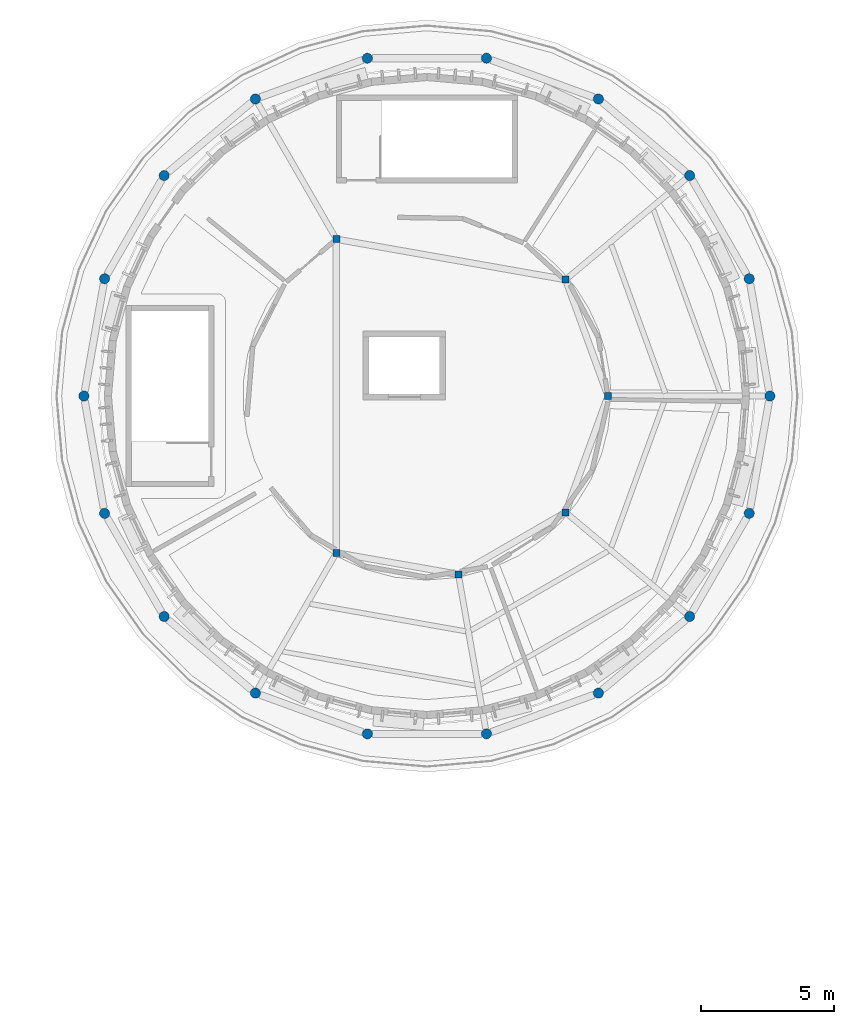
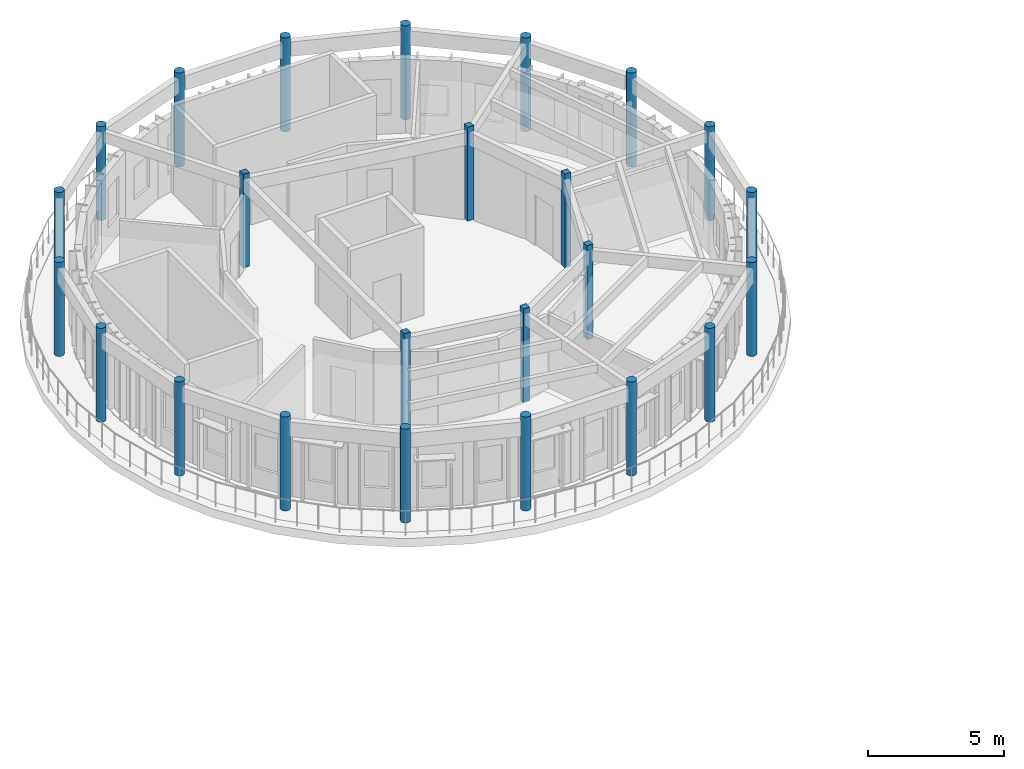
# One storey, part 1 of 14: 24 columns.
"""IFC4 building model written with IfcOpenShell, lengths in metres."""

from ifc_helpers import new_model, si_unit, direction, frame, origin, origin_2d, place, context, subcontext, project, spatial, rectangle, circle, extrude, material, material_profile, profile_set, type_object, element, save


model = new_model("IFC4")

# Units and contexts
model_context = context("Model", 3, precision=1e-05, world=origin(), true_north=direction((0.0, 1.0)))
body_context = subcontext(model_context, "Body", "Model", "MODEL_VIEW")
ifc_project = project(units=[si_unit("LENGTHUNIT", "METRE"), si_unit("AREAUNIT", "SQUARE_METRE"), si_unit("VOLUMEUNIT", "CUBIC_METRE"), si_unit("PLANEANGLEUNIT", "RADIAN"), si_unit("MASSUNIT", "GRAM", prefix="KILO")], contexts=[model_context])

# Site, building, storey
site_placement = place(None, origin())
site = spatial("IfcSite", under=ifc_project, at=site_placement, CompositionType="ELEMENT")
building_placement = place(site_placement, origin())
building = spatial("IfcBuilding", under=site, at=building_placement, Name="Aldenvaro Health Centre", CompositionType="ELEMENT")
storey_placement = place(building_placement, frame((0.0, 0.0, 21.35009765625)))
storey = spatial("IfcBuildingStorey", under=building, at=storey_placement, Name="L05", CompositionType="ELEMENT", Elevation=21.35009765625)

# Columns
ifc_material = material(Name="Glulam GL28h", Category="wood")
ifc_material_profile_1 = material_profile(ifc_material, rectangle(XDim=0.264892578125, YDim=0.264892578125, at=origin_2d()), Name="GL 265x265", Category="wood")
ifc_profile_set_1 = profile_set([ifc_material_profile_1], Name="Glulam GL28h")
column_type_1 = type_object("IfcColumnType", Name="COL-GL-265", PredefinedType="COLUMN", material=ifc_profile_set_1)
for number, where, z_axis, x_axis, name in (
    (1, (25.300048828125, 99.5, 0.0), (0.0, 0.0, 1.0), (1.0, 0.0, 0.0), "D4 L05 column IN-01"),
    (2, (23.708984375, 103.87109375, 0.0), (0.0, 0.0, 1.0), (1.0, 0.0, 0.0), "D4 L05 column IN-02"),
    (3, (15.10009765625, 105.388916015625, 0.0), (0.0, 0.0, 1.0), (1.0, 0.0, 0.0), "D4 L05 column IN-03"),
    (4, (15.10009765625, 93.611083984375, 0.0), (0.0, 0.0, 1.0), (1.0, 0.0, 0.0), "D4 L05 column IN-04"),
    (5, (19.680908203125, 92.802978515625, 0.0), (0.0, 0.0, 1.0), (1.0, 0.0, 0.0), "D4 L05 column IN-05"),
    (6, (23.708984375, 95.12890625, 0.0), (0.0, 0.0, 1.0), (1.0, 0.0, 0.0), "D4 L05 column IN-06"),
):
    element("IfcColumn", number, at=place(storey_placement, frame(where, z_axis=z_axis, x_axis=x_axis)), inside=storey, type_object=column_type_1, Name=name, PredefinedType="COLUMN", context=body_context, shape_type="SweptSolid", body=[
        extrude(rectangle(XDim=0.264892578125, YDim=0.264892578125, at=origin_2d()), origin(), (0.0, 0.0, 1.0), 4.199951171875),
    ])
ifc_material_profile_2 = material_profile(ifc_material, circle(Radius=0.18994140625, at=origin_2d()), Name="GL D380", Category="wood")
ifc_profile_set_2 = profile_set([ifc_material_profile_2], Name="Glulam GL28h")
column_type_2 = type_object("IfcColumnType", Name="COL-GL-D380", PredefinedType="PILASTER", material=ifc_profile_set_2)
for number, where, z_axis, x_axis, name in (
    (7, (31.3798828125, 99.5, 0.0), (0.0, 0.0, 1.0), (1.0, 0.0, 0.0), "D4 L05 column OUT-01"),
    (8, (30.60302734375, 103.905029296875, 0.0), (0.0, 0.0, 1.0), (1.0, 0.0, 0.0), "D4 L05 column OUT-02"),
    (9, (28.366943359375, 107.779052734375, 0.0), (0.0, 0.0, 1.0), (1.0, 0.0, 0.0), "D4 L05 column OUT-03"),
    (10, (24.93994140625, 110.654052734375, 0.0), (0.0, 0.0, 1.0), (1.0, 0.0, 0.0), "D4 L05 column OUT-04"),
    (11, (20.737060546875, 112.18408203125, 0.0), (0.0, 0.0, 1.0), (1.0, 0.0, 0.0), "D4 L05 column OUT-05"),
    (12, (16.262939453125, 112.18408203125, 0.0), (0.0, 0.0, 1.0), (1.0, 0.0, 0.0), "D4 L05 column OUT-06"),
    (13, (12.06005859375, 110.654052734375, 0.0), (0.0, 0.0, 1.0), (1.0, 0.0, 0.0), "D4 L05 column OUT-07"),
    (14, (8.633056640625, 107.779052734375, 0.0), (0.0, 0.0, 1.0), (1.0, 0.0, 0.0), "D4 L05 column OUT-08"),
    (15, (6.39697265625, 103.905029296875, 0.0), (0.0, 0.0, 1.0), (1.0, 0.0, 0.0), "D4 L05 column OUT-09"),
    (16, (5.6201171875, 99.5, 0.0), (0.0, 0.0, 1.0), (1.0, 0.0, 0.0), "D4 L05 column OUT-10"),
    (17, (6.39697265625, 95.094970703125, 0.0), (0.0, 0.0, 1.0), (1.0, 0.0, 0.0), "D4 L05 column OUT-11"),
    (18, (8.633056640625, 91.220947265625, 0.0), (0.0, 0.0, 1.0), (1.0, 0.0, 0.0), "D4 L05 column OUT-12"),
    (19, (12.06005859375, 88.345947265625, 0.0), (0.0, 0.0, 1.0), (1.0, 0.0, 0.0), "D4 L05 column OUT-13"),
    (20, (16.262939453125, 86.81591796875, 0.0), (0.0, 0.0, 1.0), (1.0, 0.0, 0.0), "D4 L05 column OUT-14"),
    (21, (20.737060546875, 86.81591796875, 0.0), (0.0, 0.0, 1.0), (1.0, 0.0, 0.0), "D4 L05 column OUT-15"),
    (22, (24.93994140625, 88.345947265625, 0.0), (0.0, 0.0, 1.0), (1.0, 0.0, 0.0), "D4 L05 column OUT-16"),
    (23, (28.366943359375, 91.220947265625, 0.0), (0.0, 0.0, 1.0), (1.0, 0.0, 0.0), "D4 L05 column OUT-17"),
    (24, (30.60302734375, 95.094970703125, 0.0), (0.0, 0.0, 1.0), (1.0, 0.0, 0.0), "D4 L05 column OUT-18"),
):
    element("IfcColumn", number, at=place(storey_placement, frame(where, z_axis=z_axis, x_axis=x_axis)), inside=storey, type_object=column_type_2, Name=name, PredefinedType="PILASTER", context=body_context, shape_type="SweptSolid", body=[
        extrude(circle(Radius=0.18994140625, at=origin_2d()), origin(), (0.0, 0.0, 1.0), 4.199951171875),
    ])

save(model, "model.ifc")
